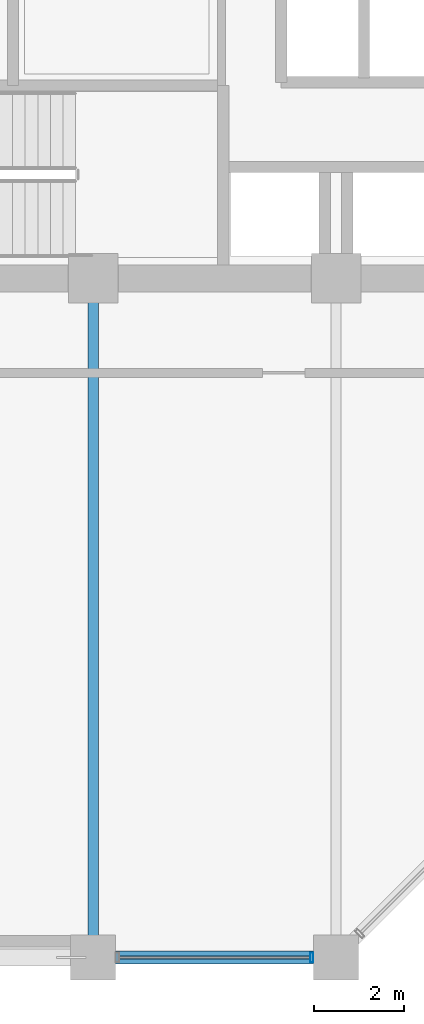
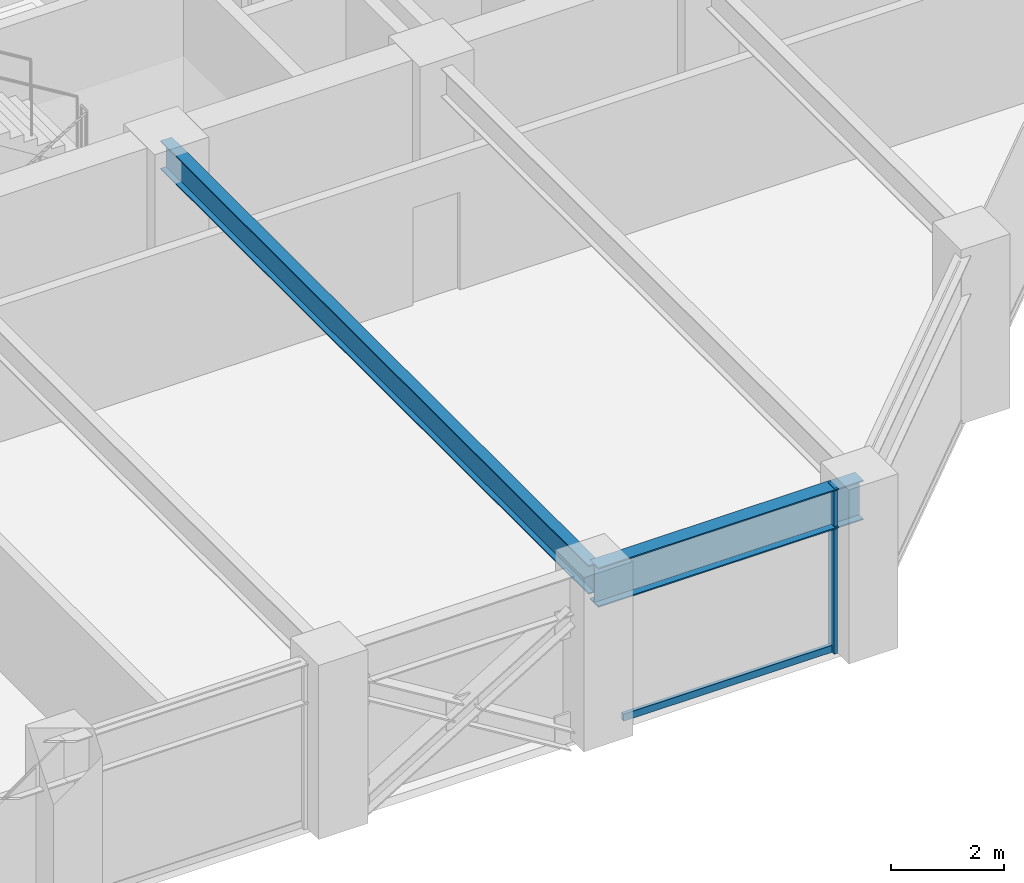
# One storey, part 5 of 23: 2 beams, 2 members, 1 element without a shape of its own.
"""IFC4 building model written with IfcOpenShell, lengths in metres."""

from ifc_helpers import new_model, si_unit, direction, frame, origin, origin_2d, place, context, subcontext, project, spatial, hollow_rectangle, i_section, extrude, material, layer, layer_set, material_profile, profile_set, type_object, element, aggregate, save


model = new_model("IFC4")

# Units and contexts
model_context = context("Model", 3, precision=1e-05, world=origin(), true_north=direction((0.0, 1.0)))
body_context = subcontext(model_context, "Body", "Model", "MODEL_VIEW")
ifc_project = project(units=[si_unit("LENGTHUNIT", "METRE"), si_unit("AREAUNIT", "SQUARE_METRE"), si_unit("VOLUMEUNIT", "CUBIC_METRE"), si_unit("PLANEANGLEUNIT", "RADIAN"), si_unit("MASSUNIT", "GRAM", prefix="KILO")], contexts=[model_context])

# Site, building, storey
site_placement = place(None, origin())
site = spatial("IfcSite", under=ifc_project, at=site_placement, CompositionType="ELEMENT")
building_placement = place(site_placement, origin())
building = spatial("IfcBuilding", under=site, at=building_placement, Name="Surkhivell Harbour Commons", CompositionType="ELEMENT")
storey_placement = place(building_placement, frame((0.0, 0.0, 128.25)))
storey = spatial("IfcBuildingStorey", under=building, at=storey_placement, Name="L33", CompositionType="ELEMENT", Elevation=128.25)

# Beams
ifc_material_1 = material(Name="Steel S355", Category="steel")
ifc_material_profile_1 = material_profile(ifc_material_1, i_section(OverallWidth=0.22998046875, OverallDepth=0.616943359375, WebThickness=0.01318359375, FlangeThickness=0.022216796875, at=origin_2d()), Name="UB610x229x140")
ifc_profile_set_1 = profile_set([ifc_material_profile_1], Name="Steel S355")
beam_type_1 = type_object("IfcBeamType", Name="BM-GRD-610B", PredefinedType="BEAM", material=ifc_profile_set_1)
beam_1_placement = place(storey_placement, frame((-5.39990234375, -25.89990234375, 3.261474609375), z_axis=(0.0, 1.0, 0.0), x_axis=(-1.0, 0.0, 0.0)))
element("IfcBeam", 1, at=beam_1_placement, inside=storey, type_object=beam_type_1, Name="L33 Floor Girder (-5.4,-25.9)", PredefinedType="BEAM", context=body_context, shape_type="SweptSolid", body=[
    extrude(i_section(OverallWidth=0.22998046875, OverallDepth=0.616943359375, WebThickness=0.01318359375, FlangeThickness=0.022216796875, at=origin_2d()), origin(), (0.0, 0.0, 1.0), 15.099853515625),
])
ifc_material_2 = material(Name="Steel S460", Category="steel")
ifc_material_profile_2 = material_profile(ifc_material_2, i_section(OverallWidth=0.2939453125, OverallDepth=0.85107421875, WebThickness=0.01611328125, FlangeThickness=0.02685546875, at=origin_2d()), Name="UB838x292x226")
ifc_profile_set_2 = profile_set([ifc_material_profile_2], Name="Steel S460")
beam_type_2 = type_object("IfcBeamType", Name="BM-SPN-838", PredefinedType="SPANDREL", material=ifc_profile_set_2)
beam_2_placement = place(storey_placement, frame((-5.39990234375, -25.89990234375, 3.14453125), z_axis=(1.0, 0.0, 0.0), x_axis=(0.0, 1.0, 0.0)))
element("IfcBeam", 2, at=beam_2_placement, inside=storey, type_object=beam_type_2, Name="L33 Tube Spandrel (-5.4,-25.9)", PredefinedType="SPANDREL", context=body_context, shape_type="SweptSolid", body=[
    extrude(i_section(OverallWidth=0.2939453125, OverallDepth=0.85107421875, WebThickness=0.01611328125, FlangeThickness=0.02685546875, at=origin_2d()), origin(), (0.0, 0.0, 1.0), 5.39990234375),
])

# Curtain wall, members
ifc_material_3 = material(Name="Anodised pale-metal aluminium and insulated glazing", Category="aluminium")
ifc_layer = layer(ifc_material_3, 0.205078125)
ifc_layer_set = layer_set([ifc_layer], Name="Anodised pale-metal aluminium and insulated glazing")
curtain_wall_type = type_object("IfcCurtainWallType", Name="CW-SYS-Z2", PredefinedType="NOTDEFINED", material=ifc_layer_set)
curtain_wall_placement = place(storey_placement, origin())
curtain_wall = element("IfcCurtainWall", 3, at=curtain_wall_placement, inside=storey, type_object=curtain_wall_type, Name="L33 Curtain Wall CW-L33-E00S2", PredefinedType="NOTDEFINED")
ifc_material_4 = material(Name="Anodised pale-metal aluminium alloy 6063-T6", Category="aluminium")
ifc_material_profile_3 = material_profile(ifc_material_4, hollow_rectangle(XDim=0.074951171875, YDim=0.219970703125, WallThickness=0.00390625, at=origin_2d()), Name="ALU-MULL-75x220")
ifc_profile_set_3 = profile_set([ifc_material_profile_3], Name="Anodised pale-metal aluminium alloy 6063-T6")
member_type_1 = type_object("IfcMemberType", Name="CWM-220", PredefinedType="MULLION", material=ifc_profile_set_3)
member_1_placement = place(storey_placement, frame((-0.53955078125, -25.89990234375, 0.0), z_axis=(0.0, 0.0, 1.0), x_axis=(1.0, 0.0, 0.0)))
member_1 = element("IfcMember", 4, at=member_1_placement, type_object=member_type_1, Name="CW-Z2 mullion 2", PredefinedType="MULLION", context=body_context, shape_type="SweptSolid", body=[
    extrude(hollow_rectangle(XDim=0.074951171875, YDim=0.219970703125, WallThickness=0.00390625, at=origin_2d()), origin(), (0.0, 0.0, 1.0), 3.570068359375),
])
ifc_material_profile_4 = material_profile(ifc_material_4, hollow_rectangle(XDim=0.074951171875, YDim=0.14990234375, WallThickness=0.00341796875, at=origin_2d()), Name="ALU-TRAN-75x150")
ifc_profile_set_4 = profile_set([ifc_material_profile_4], Name="Anodised pale-metal aluminium alloy 6063-T6")
member_type_2 = type_object("IfcMemberType", Name="CWT-150", PredefinedType="USERDEFINED", material=ifc_profile_set_4)
member_2_placement = place(storey_placement, frame((-4.822998046875, -25.89990234375, 0.074951171875), z_axis=(1.0, 0.0, 0.0), x_axis=(0.0, 1.0, 0.0)))
member_2 = element("IfcMember", 5, at=member_2_placement, type_object=member_type_2, Name="CW-Z2 transom 1.1", ObjectType="TRANSOM", PredefinedType="USERDEFINED", context=body_context, shape_type="SweptSolid", body=[
    extrude(hollow_rectangle(XDim=0.074951171875, YDim=0.14990234375, WallThickness=0.00341796875, at=origin_2d()), origin(), (0.0, 0.0, 1.0), 4.24609375),
])
aggregate(curtain_wall, [member_1, member_2])

save(model, "model.ifc")
